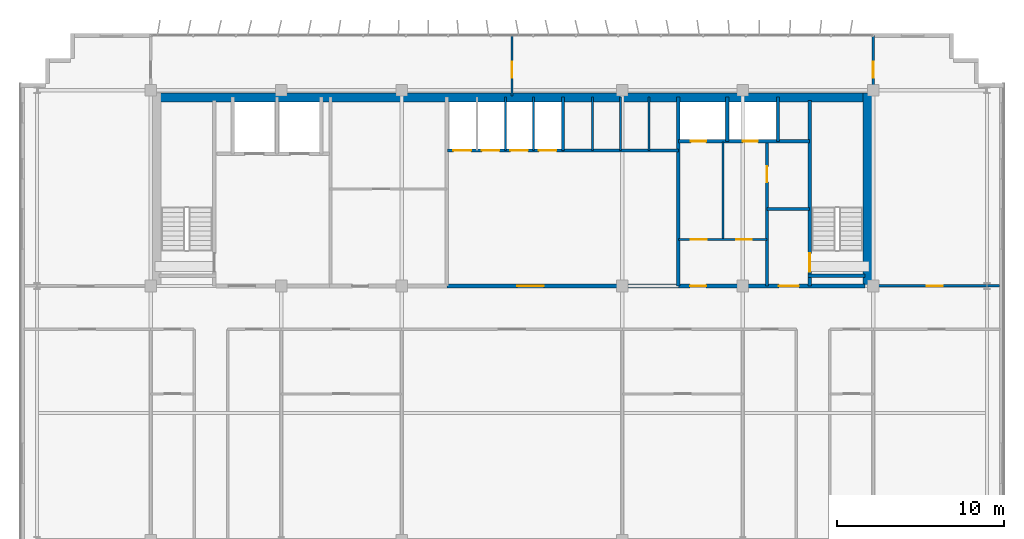
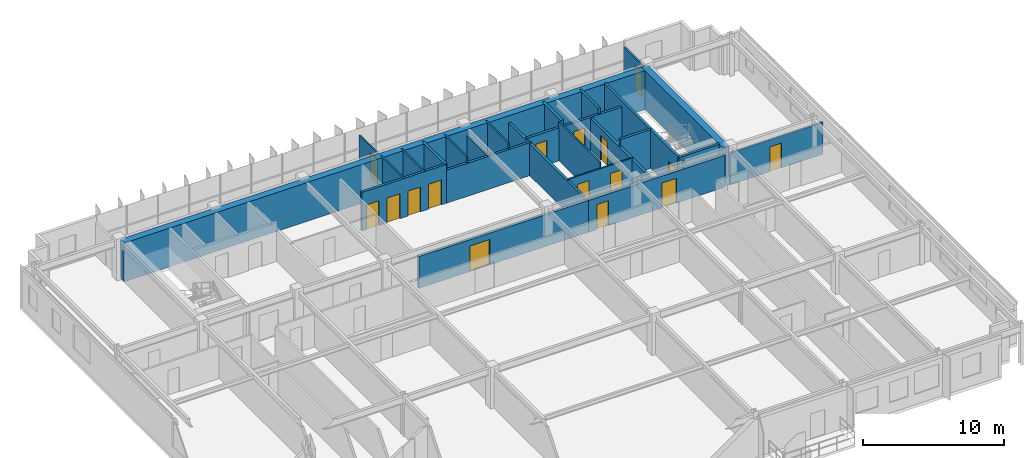
# One storey, part 17 of 20: 25 walls, 16 doors, 16 openings.
"""IFC4 building model written with IfcOpenShell, lengths in metres."""

import ifcopenshell
import ifcopenshell.guid

model = None  # the IFC model being written
_history = None  # IfcOwnerHistory: only IFC2X3 demands one
_inside = {}  # id of a spatial element -> (the spatial element, [elements in it])
_under = {}  # id of a project, library or spatial element -> (it, [spatial elements below it])
_declared = {}  # id of a project -> (the project, [libraries it declares])
_typed = {}  # id of a type object -> (the type object, [elements of that type])
_made_of = {}  # id of a material, layer set ... -> (it, [elements and type objects made of it])


def new_model(schema):
    """Start an empty IFC model of exactly this schema.

    Asked for "IFC4X3", IfcOpenShell would pick the latest addendum, in which some entities
    have other attributes; the version numbers below select the first issue.
    IFC2X3 requires an IfcOwnerHistory on every rooted entity: one is made here for all.
    """
    global model, _history
    if schema == "IFC4X3":
        model = ifcopenshell.file(schema_version=(4, 3, 0, 0))
    else:
        model = ifcopenshell.file(schema=schema)
    _inside.clear()
    _under.clear()
    _declared.clear()
    _typed.clear()
    _made_of.clear()
    _history = None
    if model.schema == "IFC2X3":
        org = make("IfcOrganization", Name="unknown")
        user = make(
            "IfcPersonAndOrganization",
            ThePerson=make("IfcPerson", FamilyName="unknown"),
            TheOrganization=org,
        )
        app = make(
            "IfcApplication",
            ApplicationDeveloper=org,
            Version="unknown",
            ApplicationFullName="unknown",
            ApplicationIdentifier="unknown",
        )
        _history = make(
            "IfcOwnerHistory",
            OwningUser=user,
            OwningApplication=app,
            ChangeAction="ADDED",
            CreationDate=0,
        )
    return model


def make(cls, **values):
    """One entity of the class cls with the attributes given. An attribute that is None is left unset."""
    return model.create_entity(
        cls, **{name: value for name, value in values.items() if value is not None}
    )


def rooted(cls, **values):
    """An entity with a GlobalId (a new one), such as an element, a storey or a relation."""
    return make(cls, GlobalId=ifcopenshell.guid.new(), OwnerHistory=_history, **values)


def si_unit(unit_type, name, prefix=None):
    """IfcSIUnit, for example si_unit("LENGTHUNIT", "METRE", prefix="MILLI")."""
    return make("IfcSIUnit", UnitType=unit_type, Prefix=prefix, Name=name)


def assignment(units):
    """IfcUnitAssignment: the units of a project."""
    return None if units is None else make("IfcUnitAssignment", Units=units)


def point(xyz):
    """IfcCartesianPoint."""
    return None if xyz is None else make("IfcCartesianPoint", Coordinates=xyz)


def direction(xyz):
    """IfcDirection."""
    return None if xyz is None else make("IfcDirection", DirectionRatios=xyz)


def frame(location, z_axis=None, x_axis=None):
    """IfcAxis2Placement3D, a coordinate frame: its origin and axes. An axis left out is left unset."""
    return make(
        "IfcAxis2Placement3D",
        Location=point(location),
        Axis=direction(z_axis),
        RefDirection=direction(x_axis),
    )


def frame_2d(location, x_axis=None):
    """IfcAxis2Placement2D, a coordinate frame in the plane: its origin and x axis."""
    return make(
        "IfcAxis2Placement2D", Location=point(location), RefDirection=direction(x_axis)
    )


def origin():
    """The frame at (0, 0, 0) with its axes left unset."""
    return frame((0.0, 0.0, 0.0))


def place(relative_to, where):
    """IfcLocalPlacement: puts the frame where relative to a parent placement (None: the world)."""
    return make(
        "IfcLocalPlacement", PlacementRelTo=relative_to, RelativePlacement=where
    )


def context(
    kind, dimensions, precision=None, world=None, true_north=None, identifier=None
):
    """IfcGeometricRepresentationContext, for example the 3D "Model" context."""
    return make(
        "IfcGeometricRepresentationContext",
        ContextIdentifier=identifier,
        ContextType=kind,
        CoordinateSpaceDimension=dimensions,
        Precision=precision,
        WorldCoordinateSystem=world,
        TrueNorth=true_north,
    )


def subcontext(parent, identifier, kind, view, scale=None):
    """IfcGeometricRepresentationSubContext, for example "Body" below "Model"."""
    return make(
        "IfcGeometricRepresentationSubContext",
        ContextIdentifier=identifier,
        ContextType=kind,
        ParentContext=parent,
        TargetScale=scale,
        TargetView=view,
    )


def project(units=None, contexts=None):
    """IfcProject with its units and contexts."""
    return rooted(
        "IfcProject",
        Name="project",
        RepresentationContexts=contexts,
        UnitsInContext=assignment(units),
    )


def spatial(cls, under=None, at=None, **own):
    """A site, building, storey or space (cls), placed at a placement, below another one or the project."""
    s = rooted(cls, ObjectPlacement=at, **own)
    if under is not None:
        _under.setdefault(under.id(), (under, []))[1].append(s)
    return s


def profile(cls, at=None, kind="AREA", **sizes):
    """A parametric profile (cls). Its sizes go by their IFC names, for example OverallWidth=200.0."""
    return make(cls, ProfileType=kind, Position=at, **sizes)


def rectangle(**sizes):
    """IfcRectangleProfileDef."""
    return profile("IfcRectangleProfileDef", **sizes)


def extrude(swept, where, along, depth):
    """IfcExtrudedAreaSolid: the profile swept, set in the frame where, extruded along a direction by depth."""
    return make(
        "IfcExtrudedAreaSolid",
        SweptArea=swept,
        Position=where,
        ExtrudedDirection=direction(along),
        Depth=depth,
    )


def shape(context_of_items, identifier, shape_type, items):
    """IfcShapeRepresentation: the items that make up one representation, for example the "Body"."""
    return make(
        "IfcShapeRepresentation",
        ContextOfItems=context_of_items,
        RepresentationIdentifier=identifier,
        RepresentationType=shape_type,
        Items=items,
    )


def source(mapping_origin, context_of_items, identifier, shape_type, items):
    """IfcRepresentationMap: a shape defined once, which mapped items show again and again."""
    return make(
        "IfcRepresentationMap",
        MappingOrigin=mapping_origin,
        MappedRepresentation=shape(context_of_items, identifier, shape_type, items),
    )


def transform(
    local_origin,
    x_axis=None,
    y_axis=None,
    z_axis=None,
    scale=None,
    scale2=None,
    scale3=None,
    uniform=True,
):
    """IfcCartesianTransformationOperator3D, or its non-uniform kind. x_axis, y_axis, z_axis: its Axis1, 2, 3."""
    if uniform:
        return make(
            "IfcCartesianTransformationOperator3D",
            Axis1=direction(x_axis),
            Axis2=direction(y_axis),
            LocalOrigin=point(local_origin),
            Scale=scale,
            Axis3=direction(z_axis),
        )
    return make(
        "IfcCartesianTransformationOperator3DnonUniform",
        Axis1=direction(x_axis),
        Axis2=direction(y_axis),
        LocalOrigin=point(local_origin),
        Scale=scale,
        Axis3=direction(z_axis),
        Scale2=scale2,
        Scale3=scale3,
    )


def mapped(mapping_source, mapping_target):
    """IfcMappedItem: shows the shape of a source again, moved by a transform."""
    return make(
        "IfcMappedItem", MappingSource=mapping_source, MappingTarget=mapping_target
    )


def material(Name=None, Category=None):
    """IfcMaterial."""
    return make("IfcMaterial", Name=Name, Category=Category)


def layer(
    of_material, thickness, ventilated=None, Name=None, Category=None, Priority=None
):
    """IfcMaterialLayer: one layer of a wall or slab, of a material (None: an air gap)."""
    return make(
        "IfcMaterialLayer",
        Material=of_material,
        LayerThickness=thickness,
        IsVentilated=ventilated,
        Name=Name,
        Category=Category,
        Priority=Priority,
    )


def layer_set(layers, Name=None):
    """IfcMaterialLayerSet."""
    return make("IfcMaterialLayerSet", MaterialLayers=layers, LayerSetName=Name)


def made_of(thing, what):
    """Note that an element or type object is made of a material, layer set ...; save() writes the relation."""
    if what is not None:
        _made_of.setdefault(what.id(), (what, []))[1].append(thing)
    return thing


def type_object(cls, material=None, **own):
    """A type object (cls), such as IfcWallType, which elements share."""
    return made_of(rooted(cls, **own), material)


def element(
    cls,
    number,
    at=None,
    inside=None,
    cuts=None,
    type_object=None,
    material=None,
    context=None,
    identifier="Body",
    shape_type=None,
    held_by="IfcProductDefinitionShape",
    body=None,
    shapes=None,
    **own,
):
    """One element of the class cls, such as IfcWall. Its Tag is "e" and its number.

    at: its placement. inside: the storey or other place that contains it. cuts: it is an
    opening in that element (IfcRelVoidsElement). A single representation is given by context,
    identifier, shape_type and body (its items); several are given by shapes. held_by: the class
    of the entity that holds the representations. save() writes the other relations.
    """
    e = rooted(cls, Tag="e%d" % number, ObjectPlacement=at, **own)
    if body is not None:
        shapes = [shape(context, identifier, shape_type, body)]
    if shapes is not None:
        e.Representation = make(held_by, Representations=shapes)
    if inside is not None:
        _inside.setdefault(inside.id(), (inside, []))[1].append(e)
    if cuts is not None:
        rooted(
            "IfcRelVoidsElement", RelatingBuildingElement=cuts, RelatedOpeningElement=e
        )
    if type_object is not None:
        _typed.setdefault(type_object.id(), (type_object, []))[1].append(e)
    return made_of(e, material)


def fill(opening, filler):
    """IfcRelFillsElement: the door or window that sits in an opening."""
    return rooted(
        "IfcRelFillsElement",
        RelatingOpeningElement=opening,
        RelatedBuildingElement=filler,
    )


def aggregate(whole, parts):
    """IfcRelAggregates: a whole, such as a stair, and the parts it consists of."""
    return rooted("IfcRelAggregates", RelatingObject=whole, RelatedObjects=parts)


def save(model, path):
    """Write the relations noted so far, then the file.

    IfcRelAggregates (storeys below a building ...), IfcRelContainedInSpatialStructure (elements
    in a storey), IfcRelDefinesByType, IfcRelAssociatesMaterial and IfcRelDeclares: one each for
    every whole, place, type object, material and project.
    """
    for whole, parts in _under.values():
        aggregate(whole, parts)
    for where, things in _inside.values():
        rooted(
            "IfcRelContainedInSpatialStructure",
            RelatedElements=things,
            RelatingStructure=where,
        )
    for kind, things in _typed.values():
        rooted("IfcRelDefinesByType", RelatedObjects=things, RelatingType=kind)
    for what, things in _made_of.values():
        rooted("IfcRelAssociatesMaterial", RelatedObjects=things, RelatingMaterial=what)
    for by, libraries in _declared.values():
        rooted("IfcRelDeclares", RelatingContext=by, RelatedDefinitions=libraries)
    model.write(path)


model = new_model("IFC4")

# Units and contexts
model_context = context("Model", 3, precision=1e-05, world=origin(), true_north=direction((0.0, 1.0)))
body_context = subcontext(model_context, "Body", "Model", "MODEL_VIEW")
ifc_project = project(units=[si_unit("LENGTHUNIT", "METRE"), si_unit("AREAUNIT", "SQUARE_METRE"), si_unit("VOLUMEUNIT", "CUBIC_METRE"), si_unit("PLANEANGLEUNIT", "RADIAN"), si_unit("MASSUNIT", "GRAM", prefix="KILO")], contexts=[model_context])

# Site, building, storey
site_placement = place(None, origin())
site = spatial("IfcSite", under=ifc_project, at=site_placement, CompositionType="ELEMENT")
building_placement = place(site_placement, origin())
building = spatial("IfcBuilding", under=site, at=building_placement, Name="Trelvane Seafront Commons", CompositionType="ELEMENT")
storey_placement = place(building_placement, frame((0.0, 0.0, 142.89990234375)))
storey = spatial("IfcBuildingStorey", under=building, at=storey_placement, Name="L37", CompositionType="ELEMENT", Elevation=142.89990234375)

# Wall, opening, door
ifc_material_1 = material(Name="Concrete C40/50", Category="concrete")
ifc_layer_1 = layer(ifc_material_1, 0.199951171875, Name="ARCH-WALL-FIRE200")
ifc_layer_set_1 = layer_set([ifc_layer_1], Name="Concrete C40/50")
wall_type_1 = type_object("IfcWallType", Name="ARCH-WALL-FIRE200", PredefinedType="PARTITIONING", material=ifc_layer_set_1)
wall_1_placement = place(storey_placement, frame((52.449951171875, 33.39990234375, 0.0), z_axis=(0.0, 0.0, 1.0), x_axis=(0.0, 1.0, 0.0)))
wall_1 = element("IfcWall", 1, at=wall_1_placement, inside=storey, type_object=wall_type_1, Name="W-L37-ST2V-W-031", PredefinedType="PARTITIONING", context=body_context, shape_type="SweptSolid", body=[
    extrude(rectangle(XDim=8.650146484375, YDim=0.199951171875, at=frame_2d((4.3251953125, 0.0))), origin(), (0.0, 0.0, 1.0), 2.75),
])
opening_1_placement = place(wall_1_placement, frame((6.199951171875, 0.0, 0.0)))
opening_1 = element("IfcOpeningElement", 2, at=opening_1_placement, cuts=wall_1, Name="Opening FD-L37-15", PredefinedType="OPENING", context=body_context, shape_type="SweptSolid", body=[
    extrude(rectangle(XDim=0.949951171875, YDim=2.14990234375, at=frame_2d((0.47509765625, 1.074951171875))), frame((0.0, 0.10986328125, 0.0), z_axis=(0.0, -1.0, 0.0), x_axis=(1.0, 0.0, 0.0)), (0.0, 0.0, 1.0), 0.219970703125),
])
ifc_material_2 = material(Name="Powder-coated aluminium frame", Category="aluminium")
door_type_1 = type_object("IfcDoorType", Name="ARCH-DR-FD60-950", OperationType="NOTDEFINED", PredefinedType="DOOR", material=ifc_material_2)
shared_shape_1 = source(origin(), body_context, "Body", "SweptSolid", [
    extrude(rectangle(XDim=0.949951171875, YDim=2.14990234375, at=frame_2d((0.47509765625, 1.074951171875))), frame((0.0, 0.02490234375, 0.0), z_axis=(0.0, -1.0, 0.0), x_axis=(1.0, 0.0, 0.0)), (0.0, 0.0, 1.0), 0.050048828125),
])
door_1_placement = place(opening_1_placement, origin())
door_1 = element("IfcDoor", 3, at=door_1_placement, inside=storey, type_object=door_type_1, Name="L37 Cleaner Store Door", OperationType="SINGLE_SWING_LEFT", OverallHeight=2.14990234375, OverallWidth=0.949951171875, PredefinedType="DOOR", context=body_context, shape_type="MappedRepresentation", body=[
    mapped(shared_shape_1, transform((0.0, 0.0, 0.0), x_axis=(1.0, 0.0, 0.0), y_axis=(0.0, 1.0, 0.0), z_axis=(0.0, 0.0, 1.0), scale=1.0)),
])
fill(opening_1, door_1)

# Wall
wall_2_placement = place(storey_placement, frame((52.449951171875, 38.0, 0.0), z_axis=(0.0, 0.0, 1.0), x_axis=(1.0, 0.0, 0.0)))
element("IfcWall", 4, at=wall_2_placement, inside=storey, type_object=wall_type_1, Name="W-L37-ST2V-N-032", PredefinedType="PARTITIONING", context=body_context, shape_type="SweptSolid", body=[
    extrude(rectangle(XDim=2.550048828125, YDim=0.199951171875, at=frame_2d((1.27490234375, 0.0))), origin(), (0.0, 0.0, 1.0), 3.35009765625),
])

# Wall, opening, door
ifc_layer_2 = layer(ifc_material_1, 0.25, Name="ARCH-WALL-FIRE250")
ifc_layer_set_2 = layer_set([ifc_layer_2], Name="Concrete C40/50")
wall_type_2 = type_object("IfcWallType", Name="ARCH-WALL-FIRE250", PredefinedType="PARTITIONING", material=ifc_layer_set_2)
wall_3_placement = place(storey_placement, frame((33.300048828125, 33.39990234375, 0.0), z_axis=(0.0, 0.0, 1.0), x_axis=(1.0, 0.0, 0.0)))
wall_3 = element("IfcWall", 5, at=wall_3_placement, inside=storey, type_object=wall_type_2, Name="W-L37-CS-PAX-027", PredefinedType="PARTITIONING", context=body_context, shape_type="SweptSolid", body=[
    extrude(rectangle(XDim=13.849853515625, YDim=0.25, at=frame_2d((6.9248046875, 0.0))), origin(), (0.0, 0.0, 1.0), 2.75),
])
opening_2_placement = place(wall_3_placement, frame((4.199951171875, 0.0, 0.0)))
opening_2 = element("IfcOpeningElement", 6, at=opening_2_placement, cuts=wall_3, Name="Opening FD-L37-12", PredefinedType="OPENING", context=body_context, shape_type="SweptSolid", body=[
    extrude(rectangle(XDim=1.60009765625, YDim=2.199951171875, at=frame_2d((0.800048828125, 1.10009765625))), frame((0.0, 0.135009765625, 0.0), z_axis=(0.0, -1.0, 0.0), x_axis=(1.0, 0.0, 0.0)), (0.0, 0.0, 1.0), 0.27001953125),
])
door_type_2 = type_object("IfcDoorType", Name="ARCH-DR-FD60-1600", OperationType="DOUBLE_DOOR_SINGLE_SWING", PredefinedType="DOOR", material=ifc_material_2)
shared_shape_2 = source(origin(), body_context, "Body", "SweptSolid", [
    extrude(rectangle(XDim=1.60009765625, YDim=2.199951171875, at=frame_2d((0.800048828125, 1.10009765625))), frame((0.0, 0.02490234375, 0.0), z_axis=(0.0, -1.0, 0.0), x_axis=(1.0, 0.0, 0.0)), (0.0, 0.0, 1.0), 0.050048828125),
])
door_2_placement = place(opening_2_placement, origin())
door_2 = element("IfcDoor", 7, at=door_2_placement, inside=storey, type_object=door_type_2, Name="L37 Passenger Lift Lobby Double Door", OperationType="DOUBLE_DOOR_SINGLE_SWING", OverallHeight=2.199951171875, OverallWidth=1.60009765625, PredefinedType="DOOR", context=body_context, shape_type="MappedRepresentation", body=[
    mapped(shared_shape_2, transform((0.0, 0.0, 0.0), x_axis=(1.0, 0.0, 0.0), y_axis=(0.0, 1.0, 0.0), z_axis=(0.0, 0.0, 1.0), scale=1.0)),
])
fill(opening_2, door_2)

# Wall, openings, doors
wall_4_placement = place(storey_placement, frame((47.14990234375, 33.39990234375, 0.0), z_axis=(0.0, 0.0, 1.0), x_axis=(1.0, 0.0, 0.0)))
wall_4 = element("IfcWall", 8, at=wall_4_placement, inside=storey, type_object=wall_type_2, Name="W-L37-CS-EAST-035", PredefinedType="PARTITIONING", context=body_context, shape_type="SweptSolid", body=[
    extrude(rectangle(XDim=11.150146484375, YDim=0.25, at=frame_2d((5.5751953125, 0.0))), origin(), (0.0, 0.0, 1.0), 2.75),
])
opening_3_placement = place(wall_4_placement, frame((0.699951171875, 0.0, 0.0)))
opening_3 = element("IfcOpeningElement", 9, at=opening_3_placement, cuts=wall_4, Name="Opening FD-L37-18", PredefinedType="OPENING", context=body_context, shape_type="SweptSolid", body=[
    extrude(rectangle(XDim=0.949951171875, YDim=2.14990234375, at=frame_2d((0.47509765625, 1.074951171875))), frame((0.0, 0.135009765625, 0.0), z_axis=(0.0, -1.0, 0.0), x_axis=(1.0, 0.0, 0.0)), (0.0, 0.0, 1.0), 0.27001953125),
])
opening_4_placement = place(wall_4_placement, frame((6.0, 0.0, 0.0)))
opening_4 = element("IfcOpeningElement", 10, at=opening_4_placement, cuts=wall_4, Name="Opening FD-L37-19", PredefinedType="OPENING", context=body_context, shape_type="SweptSolid", body=[
    extrude(rectangle(XDim=1.199951171875, YDim=2.14990234375, at=frame_2d((0.60009765625, 1.074951171875))), frame((0.0, 0.135009765625, 0.0), z_axis=(0.0, -1.0, 0.0), x_axis=(1.0, 0.0, 0.0)), (0.0, 0.0, 1.0), 0.27001953125),
])
door_3_placement = place(opening_3_placement, origin())
door_3 = element("IfcDoor", 11, at=door_3_placement, inside=storey, type_object=door_type_1, Name="L37 Core Service Lobby Door", OperationType="SINGLE_SWING_RIGHT", OverallHeight=2.14990234375, OverallWidth=0.949951171875, PredefinedType="DOOR", context=body_context, shape_type="MappedRepresentation", body=[
    mapped(shared_shape_1, transform((0.0, 0.0, 0.0), x_axis=(1.0, 0.0, 0.0), y_axis=(0.0, 1.0, 0.0), z_axis=(0.0, 0.0, 1.0), scale=1.0)),
])
fill(opening_3, door_3)
door_type_3 = type_object("IfcDoorType", Name="ARCH-DR-FD60-1200", OperationType="NOTDEFINED", PredefinedType="DOOR", material=ifc_material_2)
shared_shape_3 = source(origin(), body_context, "Body", "SweptSolid", [
    extrude(rectangle(XDim=1.199951171875, YDim=2.14990234375, at=frame_2d((0.60009765625, 1.074951171875))), frame((0.0, 0.02490234375, 0.0), z_axis=(0.0, -1.0, 0.0), x_axis=(1.0, 0.0, 0.0)), (0.0, 0.0, 1.0), 0.050048828125),
])
door_4_placement = place(opening_4_placement, origin())
door_4 = element("IfcDoor", 12, at=door_4_placement, inside=storey, type_object=door_type_3, Name="L37 East Stair Vestibule Fire Door", OperationType="SINGLE_SWING_LEFT", OverallHeight=2.14990234375, OverallWidth=1.199951171875, PredefinedType="DOOR", context=body_context, shape_type="MappedRepresentation", body=[
    mapped(shared_shape_3, transform((0.0, 0.0, 0.0), x_axis=(1.0, 0.0, 0.0), y_axis=(0.0, 1.0, 0.0), z_axis=(0.0, 0.0, 1.0), scale=1.0)),
])
fill(opening_4, door_4)

# Walls
ifc_material_3 = material(Name="Gypsum Drywall Acoustic Partition")
ifc_layer_3 = layer(ifc_material_3, 0.1201171875, Name="ARCH-WALL-PART120")
ifc_layer_set_3 = layer_set([ifc_layer_3], Name="Gypsum Drywall Acoustic Partition")
wall_type_3 = type_object("IfcWallType", Name="ARCH-WALL-PART120", PredefinedType="PARTITIONING", material=ifc_layer_set_3)
for number, where, z_axis, x_axis, name in (
    (13, (36.800048828125, 41.5, 0.0), (0.0, 0.0, 1.0), (0.0, 1.0, 0.0), "W-L37-PM-DIV2-018"),
    (14, (38.5, 41.5, 0.0), (0.0, 0.0, 1.0), (0.0, 1.0, 0.0), "W-L37-PM-DIV3-019"),
    (15, (42.0, 41.5, 0.0), (0.0, 0.0, 1.0), (0.0, 1.0, 0.0), "W-L37-PH-DIV1-022"),
):
    element("IfcWall", number, at=place(storey_placement, frame(where, z_axis=z_axis, x_axis=x_axis)), inside=storey, type_object=wall_type_3, Name=name, PredefinedType="PARTITIONING", context=body_context, shape_type="SweptSolid", body=[
        extrude(rectangle(XDim=3.199951171875, YDim=0.1201171875, at=frame_2d((1.60009765625, 0.0))), origin(), (0.0, 0.0, 1.0), 3.35009765625),
    ])
wall_5_placement = place(storey_placement, frame((43.699951171875, 41.5, 0.0), z_axis=(0.0, 0.0, 1.0), x_axis=(0.0, 1.0, 0.0)))
element("IfcWall", 16, at=wall_5_placement, inside=storey, type_object=wall_type_3, Name="W-L37-PH-DIV2-023", PredefinedType="PARTITIONING", context=body_context, shape_type="SweptSolid", body=[
    extrude(rectangle(XDim=3.199951171875, YDim=0.1201171875, at=frame_2d((1.60009765625, 0.0))), origin(), (0.0, 0.0, 1.0), 2.85009765625),
])
wall_6_placement = place(storey_placement, frame((45.39990234375, 41.5, 0.0), z_axis=(0.0, 0.0, 1.0), x_axis=(0.0, 1.0, 0.0)))
element("IfcWall", 17, at=wall_6_placement, inside=storey, type_object=wall_type_3, Name="W-L37-PH-DIV3-024", PredefinedType="PARTITIONING", context=body_context, shape_type="SweptSolid", body=[
    extrude(rectangle(XDim=3.199951171875, YDim=0.1201171875, at=frame_2d((1.60009765625, 0.0))), origin(), (0.0, 0.0, 1.0), 3.35009765625),
])

# Wall, openings, doors
wall_7_placement = place(storey_placement, frame((47.14990234375, 36.179931640625, 0.0), z_axis=(0.0, 0.0, 1.0), x_axis=(1.0, 0.0, 0.0)))
wall_7 = element("IfcWall", 18, at=wall_7_placement, inside=storey, type_object=wall_type_3, Name="W-L37-CYC1-H-033", PredefinedType="PARTITIONING", context=body_context, shape_type="SweptSolid", body=[
    extrude(rectangle(XDim=5.300048828125, YDim=0.1201171875, at=frame_2d((2.64990234375, 0.0))), origin(), (0.0, 0.0, 1.0), 2.85009765625),
])
opening_5_placement = place(wall_7_placement, frame((0.75, 0.0, 0.0)))
opening_5 = element("IfcOpeningElement", 19, at=opening_5_placement, cuts=wall_7, Name="Opening D-L37-16", PredefinedType="OPENING", context=body_context, shape_type="SweptSolid", body=[
    extrude(rectangle(XDim=0.949951171875, YDim=2.14990234375, at=frame_2d((0.47509765625, 1.074951171875))), frame((0.0, 0.070068359375, 0.0), z_axis=(0.0, -1.0, 0.0), x_axis=(1.0, 0.0, 0.0)), (0.0, 0.0, 1.0), 0.14013671875),
])
opening_6_placement = place(wall_7_placement, frame((3.449951171875, 0.0, 0.0)))
opening_6 = element("IfcOpeningElement", 20, at=opening_6_placement, cuts=wall_7, Name="Opening D-L37-17", PredefinedType="OPENING", context=body_context, shape_type="SweptSolid", body=[
    extrude(rectangle(XDim=0.949951171875, YDim=2.14990234375, at=frame_2d((0.47509765625, 1.074951171875))), frame((0.0, 0.070068359375, 0.0), z_axis=(0.0, -1.0, 0.0), x_axis=(1.0, 0.0, 0.0)), (0.0, 0.0, 1.0), 0.14013671875),
])
ifc_material_4 = material(Name="Acoustic timber door leaf", Category="wood")
door_type_4 = type_object("IfcDoorType", Name="ARCH-DR-INT950", OperationType="NOTDEFINED", PredefinedType="DOOR", material=ifc_material_4)
door_5_placement = place(opening_5_placement, origin())
door_5 = element("IfcDoor", 21, at=door_5_placement, inside=storey, type_object=door_type_4, Name="L37 Accessible WC Door", OperationType="SINGLE_SWING_RIGHT", OverallHeight=2.14990234375, OverallWidth=0.949951171875, PredefinedType="DOOR", context=body_context, shape_type="MappedRepresentation", body=[
    mapped(shared_shape_1, transform((0.0, 0.0, 0.0), x_axis=(1.0, 0.0, 0.0), y_axis=(0.0, 1.0, 0.0), z_axis=(0.0, 0.0, 1.0), scale=1.0)),
])
fill(opening_5, door_5)
door_6_placement = place(opening_6_placement, origin())
door_6 = element("IfcDoor", 22, at=door_6_placement, inside=storey, type_object=door_type_4, Name="L37 BMS Room Door", OperationType="SINGLE_SWING_LEFT", OverallHeight=2.14990234375, OverallWidth=0.949951171875, PredefinedType="DOOR", context=body_context, shape_type="MappedRepresentation", body=[
    mapped(shared_shape_1, transform((0.0, 0.0, 0.0), x_axis=(1.0, 0.0, 0.0), y_axis=(0.0, 1.0, 0.0), z_axis=(0.0, 0.0, 1.0), scale=1.0)),
])
fill(opening_6, door_6)

# Wall
wall_8_placement = place(storey_placement, frame((49.820068359375, 36.179931640625, 0.0), z_axis=(0.0, 0.0, 1.0), x_axis=(0.0, 1.0, 0.0)))
element("IfcWall", 23, at=wall_8_placement, inside=storey, type_object=wall_type_3, Name="W-L37-CYC1-V-034", PredefinedType="PARTITIONING", context=body_context, shape_type="SweptSolid", body=[
    extrude(rectangle(XDim=5.820068359375, YDim=0.1201171875, at=frame_2d((2.91015625, 0.0))), origin(), (0.0, 0.0, 1.0), 3.35009765625),
])

# Wall, opening, door
wall_9_placement = place(storey_placement, frame((37.199951171875, 44.75, 0.0), z_axis=(0.0, 0.0, 1.0), x_axis=(0.0, 1.0, 0.0)))
wall_9 = element("IfcWall", 24, at=wall_9_placement, inside=storey, type_object=wall_type_3, Name="W-L37-N-MID-DV-038", PredefinedType="PARTITIONING", context=body_context, shape_type="SweptSolid", body=[
    extrude(rectangle(XDim=3.610107421875, YDim=0.1201171875, at=frame_2d((1.80517578125, 0.0))), origin(), (0.0, 0.0, 1.0), 2.75),
])
opening_7_placement = place(wall_9_placement, frame((1.10009765625, 0.0, 0.0)))
opening_7 = element("IfcOpeningElement", 25, at=opening_7_placement, cuts=wall_9, Name="Opening D-L37-22", PredefinedType="OPENING", context=body_context, shape_type="SweptSolid", body=[
    extrude(rectangle(XDim=0.949951171875, YDim=2.14990234375, at=frame_2d((0.47509765625, 1.074951171875))), frame((0.0, 0.070068359375, 0.0), z_axis=(0.0, -1.0, 0.0), x_axis=(1.0, 0.0, 0.0)), (0.0, 0.0, 1.0), 0.14013671875),
])
door_7_placement = place(opening_7_placement, origin())
door_7 = element("IfcDoor", 26, at=door_7_placement, inside=storey, type_object=door_type_4, Name="L37 Door 22", OperationType="SINGLE_SWING_RIGHT", OverallHeight=2.14990234375, OverallWidth=0.949951171875, PredefinedType="DOOR", context=body_context, shape_type="MappedRepresentation", body=[
    mapped(shared_shape_1, transform((0.0, 0.0, 0.0), x_axis=(1.0, 0.0, 0.0), y_axis=(0.0, 1.0, 0.0), z_axis=(0.0, 0.0, 1.0), scale=1.0)),
])
fill(opening_7, door_7)

ifc_layer_4 = layer(ifc_material_3, 0.14990234375, Name="ARCH-WALL-PART150")
ifc_layer_set_4 = layer_set([ifc_layer_4], Name="Gypsum Drywall Acoustic Partition")
wall_type_4 = type_object("IfcWallType", Name="ARCH-WALL-PART150", PredefinedType="PARTITIONING", material=ifc_layer_set_4)
wall_10_placement = place(storey_placement, frame((58.800048828125, 33.39990234375, 0.0), z_axis=(0.0, 0.0, 1.0), x_axis=(1.0, 0.0, 0.0)))
wall_10 = element("IfcWall", 27, at=wall_10_placement, inside=storey, type_object=wall_type_4, Name="W-L37-NE-ENT-037", PredefinedType="PARTITIONING", context=body_context, shape_type="SweptSolid", body=[
    extrude(rectangle(XDim=7.550048828125, YDim=0.14990234375, at=frame_2d((3.77490234375, 0.0))), origin(), (0.0, 0.0, 1.0), 2.75),
])
opening_8_placement = place(wall_10_placement, frame((3.199951171875, 0.0, 0.0)))
opening_8 = element("IfcOpeningElement", 28, at=opening_8_placement, cuts=wall_10, Name="Opening FD-L37-21", PredefinedType="OPENING", context=body_context, shape_type="SweptSolid", body=[
    extrude(rectangle(XDim=0.949951171875, YDim=2.14990234375, at=frame_2d((0.47509765625, 1.074951171875))), frame((0.0, 0.0849609375, 0.0), z_axis=(0.0, -1.0, 0.0), x_axis=(1.0, 0.0, 0.0)), (0.0, 0.0, 1.0), 0.169921875),
])
door_8_placement = place(opening_8_placement, origin())
door_8 = element("IfcDoor", 29, at=door_8_placement, inside=storey, type_object=door_type_1, Name="L37 NE Suite Entrance Door", OperationType="SINGLE_SWING_LEFT", OverallHeight=2.14990234375, OverallWidth=0.949951171875, PredefinedType="DOOR", context=body_context, shape_type="MappedRepresentation", body=[
    mapped(shared_shape_1, transform((0.0, 0.0, 0.0), x_axis=(1.0, 0.0, 0.0), y_axis=(0.0, 1.0, 0.0), z_axis=(0.0, 0.0, 1.0), scale=1.0)),
])
fill(opening_8, door_8)

wall_11_placement = place(storey_placement, frame((58.800048828125, 44.75, 0.0), z_axis=(0.0, 0.0, 1.0), x_axis=(0.0, 1.0, 0.0)))
wall_11 = element("IfcWall", 30, at=wall_11_placement, inside=storey, type_object=wall_type_4, Name="W-L37-N-LINK-E-040", PredefinedType="PARTITIONING", context=body_context, shape_type="SweptSolid", body=[
    extrude(rectangle(XDim=3.610107421875, YDim=0.14990234375, at=frame_2d((1.80517578125, 0.0))), origin(), (0.0, 0.0, 1.0), 2.85009765625),
])
opening_9_placement = place(wall_11_placement, frame((1.10009765625, 0.0, 0.0)))
opening_9 = element("IfcOpeningElement", 31, at=opening_9_placement, cuts=wall_11, Name="Opening FD-L37-24", PredefinedType="OPENING", context=body_context, shape_type="SweptSolid", body=[
    extrude(rectangle(XDim=0.949951171875, YDim=2.14990234375, at=frame_2d((0.47509765625, 1.074951171875))), frame((0.0, 0.0849609375, 0.0), z_axis=(0.0, -1.0, 0.0), x_axis=(1.0, 0.0, 0.0)), (0.0, 0.0, 1.0), 0.169921875),
])
door_9_placement = place(opening_9_placement, origin())
door_9 = element("IfcDoor", 32, at=door_9_placement, inside=storey, type_object=door_type_1, Name="L37 Door 24", OperationType="SINGLE_SWING_RIGHT", OverallHeight=2.14990234375, OverallWidth=0.949951171875, PredefinedType="DOOR", context=body_context, shape_type="MappedRepresentation", body=[
    mapped(shared_shape_1, transform((0.0, 0.0, 0.0), x_axis=(1.0, 0.0, 0.0), y_axis=(0.0, 1.0, 0.0), z_axis=(0.0, 0.0, 1.0), scale=1.0)),
])
fill(opening_9, door_9)

# Wall, openings, doors
ifc_layer_5 = layer(ifc_material_1, 0.199951171875, Name="ARCH-WALL-SHAFT200")
ifc_layer_set_5 = layer_set([ifc_layer_5], Name="Concrete C40/50")
wall_type_5 = type_object("IfcWallType", Name="ARCH-WALL-SHAFT200", PredefinedType="SOLIDWALL", material=ifc_layer_set_5)
wall_12_placement = place(storey_placement, frame((33.35009765625, 41.5, 0.0), z_axis=(0.0, 0.0, 1.0), x_axis=(1.0, 0.0, 0.0)))
wall_12 = element("IfcWall", 33, at=wall_12_placement, inside=storey, type_object=wall_type_5, Name="W-L37-PM-FRONT-016", PredefinedType="SOLIDWALL", context=body_context, shape_type="SweptSolid", body=[
    extrude(rectangle(XDim=6.89990234375, YDim=0.199951171875, at=frame_2d((3.449951171875, 0.0))), origin(), (0.0, 0.0, 1.0), 3.35009765625),
])
opening_10_placement = place(wall_12_placement, frame((0.35009765625, 0.0, 0.0)))
opening_10 = element("IfcOpeningElement", 34, at=opening_10_placement, cuts=wall_12, Name="Opening LD-PM1-L37", PredefinedType="OPENING", context=body_context, shape_type="SweptSolid", body=[
    extrude(rectangle(XDim=1.050048828125, YDim=2.14990234375, at=frame_2d((0.52490234375, 1.074951171875))), frame((0.0, 0.10986328125, 0.0), z_axis=(0.0, -1.0, 0.0), x_axis=(1.0, 0.0, 0.0)), (0.0, 0.0, 1.0), 0.219970703125),
])
opening_11_placement = place(wall_12_placement, frame((2.050048828125, 0.0, 0.0)))
opening_11 = element("IfcOpeningElement", 35, at=opening_11_placement, cuts=wall_12, Name="Opening LD-PM2-L37", PredefinedType="OPENING", context=body_context, shape_type="SweptSolid", body=[
    extrude(rectangle(XDim=1.050048828125, YDim=2.14990234375, at=frame_2d((0.52490234375, 1.074951171875))), frame((0.0, 0.10986328125, 0.0), z_axis=(0.0, -1.0, 0.0), x_axis=(1.0, 0.0, 0.0)), (0.0, 0.0, 1.0), 0.219970703125),
])
opening_12_placement = place(wall_12_placement, frame((3.75, 0.0, 0.0)))
opening_12 = element("IfcOpeningElement", 36, at=opening_12_placement, cuts=wall_12, Name="Opening LD-PM3-L37", PredefinedType="OPENING", context=body_context, shape_type="SweptSolid", body=[
    extrude(rectangle(XDim=1.050048828125, YDim=2.14990234375, at=frame_2d((0.52490234375, 1.074951171875))), frame((0.0, 0.10986328125, 0.0), z_axis=(0.0, -1.0, 0.0), x_axis=(1.0, 0.0, 0.0)), (0.0, 0.0, 1.0), 0.219970703125),
])
opening_13_placement = place(wall_12_placement, frame((5.449951171875, 0.0, 0.0)))
opening_13 = element("IfcOpeningElement", 37, at=opening_13_placement, cuts=wall_12, Name="Opening LD-PM4-L37", PredefinedType="OPENING", context=body_context, shape_type="SweptSolid", body=[
    extrude(rectangle(XDim=1.050048828125, YDim=2.14990234375, at=frame_2d((0.52490234375, 1.074951171875))), frame((0.0, 0.10986328125, 0.0), z_axis=(0.0, -1.0, 0.0), x_axis=(1.0, 0.0, 0.0)), (0.0, 0.0, 1.0), 0.219970703125),
])
ifc_material_5 = material(Name="Stainless steel balustrade", Category="steel")
door_type_5 = type_object("IfcDoorType", Name="ARCH-DR-LD1050", OperationType="DOUBLE_DOOR_SLIDING", PredefinedType="DOOR", material=ifc_material_5)
shared_shape_4 = source(origin(), body_context, "Body", "SweptSolid", [
    extrude(rectangle(XDim=1.050048828125, YDim=2.14990234375, at=frame_2d((0.52490234375, 1.074951171875))), frame((0.0, 0.02490234375, 0.0), z_axis=(0.0, -1.0, 0.0), x_axis=(1.0, 0.0, 0.0)), (0.0, 0.0, 1.0), 0.050048828125),
])
door_10_placement = place(opening_10_placement, origin())
door_10 = element("IfcDoor", 38, at=door_10_placement, inside=storey, type_object=door_type_5, Name="L37 Passenger Lift PM-1 Landing Door", OperationType="DOUBLE_DOOR_SLIDING", OverallHeight=2.14990234375, OverallWidth=1.050048828125, PredefinedType="DOOR", context=body_context, shape_type="MappedRepresentation", body=[
    mapped(shared_shape_4, transform((0.0, 0.0, 0.0), x_axis=(1.0, 0.0, 0.0), y_axis=(0.0, 1.0, 0.0), z_axis=(0.0, 0.0, 1.0), scale=1.0)),
])
fill(opening_10, door_10)
door_11_placement = place(opening_11_placement, origin())
door_11 = element("IfcDoor", 39, at=door_11_placement, inside=storey, type_object=door_type_5, Name="L37 Passenger Lift PM-2 Landing Door", OperationType="DOUBLE_DOOR_SLIDING", OverallHeight=2.14990234375, OverallWidth=1.050048828125, PredefinedType="DOOR", context=body_context, shape_type="MappedRepresentation", body=[
    mapped(shared_shape_4, transform((0.0, 0.0, 0.0), x_axis=(1.0, 0.0, 0.0), y_axis=(0.0, 1.0, 0.0), z_axis=(0.0, 0.0, 1.0), scale=1.0)),
])
fill(opening_11, door_11)
door_12_placement = place(opening_12_placement, origin())
door_12 = element("IfcDoor", 40, at=door_12_placement, inside=storey, type_object=door_type_5, Name="L37 Passenger Lift PM-3 Landing Door", OperationType="DOUBLE_DOOR_SLIDING", OverallHeight=2.14990234375, OverallWidth=1.050048828125, PredefinedType="DOOR", context=body_context, shape_type="MappedRepresentation", body=[
    mapped(shared_shape_4, transform((0.0, 0.0, 0.0), x_axis=(1.0, 0.0, 0.0), y_axis=(0.0, 1.0, 0.0), z_axis=(0.0, 0.0, 1.0), scale=1.0)),
])
fill(opening_12, door_12)
door_13_placement = place(opening_13_placement, origin())
door_13 = element("IfcDoor", 41, at=door_13_placement, inside=storey, type_object=door_type_5, Name="L37 Passenger Lift PM-4 Landing Door", OperationType="DOUBLE_DOOR_SLIDING", OverallHeight=2.14990234375, OverallWidth=1.050048828125, PredefinedType="DOOR", context=body_context, shape_type="MappedRepresentation", body=[
    mapped(shared_shape_4, transform((0.0, 0.0, 0.0), x_axis=(1.0, 0.0, 0.0), y_axis=(0.0, 1.0, 0.0), z_axis=(0.0, 0.0, 1.0), scale=1.0)),
])
fill(opening_13, door_13)

# Walls
wall_13_placement = place(storey_placement, frame((40.25, 41.5, 0.0), z_axis=(0.0, 0.0, 1.0), x_axis=(1.0, 0.0, 0.0)))
element("IfcWall", 42, at=wall_13_placement, inside=storey, type_object=wall_type_5, Name="W-L37-PH-FRONT-020", PredefinedType="SOLIDWALL", context=body_context, shape_type="SweptSolid", body=[
    extrude(rectangle(XDim=6.89990234375, YDim=0.199951171875, at=frame_2d((3.449951171875, 0.0))), origin(), (0.0, 0.0, 1.0), 2.85009765625),
])
wall_14_placement = place(storey_placement, frame((40.25, 41.5, 0.0), z_axis=(0.0, 0.0, 1.0), x_axis=(0.0, 1.0, 0.0)))
element("IfcWall", 43, at=wall_14_placement, inside=storey, type_object=wall_type_5, Name="W-L37-PH-WEST-SH-021", PredefinedType="SOLIDWALL", context=body_context, shape_type="SweptSolid", body=[
    extrude(rectangle(XDim=3.199951171875, YDim=0.199951171875, at=frame_2d((1.60009765625, 0.0))), origin(), (0.0, 0.0, 1.0), 3.35009765625),
])
wall_15_placement = place(storey_placement, frame((47.14990234375, 33.39990234375, 0.0), z_axis=(0.0, 0.0, 1.0), x_axis=(0.0, 1.0, 0.0)))
element("IfcWall", 44, at=wall_15_placement, inside=storey, type_object=wall_type_5, Name="W-L37-PH-EAST-025", PredefinedType="SOLIDWALL", context=body_context, shape_type="SweptSolid", body=[
    extrude(rectangle(XDim=11.300048828125, YDim=0.199951171875, at=frame_2d((5.64990234375, 0.0))), origin(), (0.0, 0.0, 1.0), 2.75),
])

# Wall, openings, doors
wall_16_placement = place(storey_placement, frame((47.14990234375, 42.050048828125, 0.0), z_axis=(0.0, 0.0, 1.0), x_axis=(1.0, 0.0, 0.0)))
wall_16 = element("IfcWall", 45, at=wall_16_placement, inside=storey, type_object=wall_type_5, Name="W-L37-RSR-S-028", PredefinedType="SOLIDWALL", context=body_context, shape_type="SweptSolid", body=[
    extrude(rectangle(XDim=7.85009765625, YDim=0.199951171875, at=frame_2d((3.925048828125, 0.0))), origin(), (0.0, 0.0, 1.0), 2.85009765625),
])
opening_14_placement = place(wall_16_placement, frame((0.75, 0.0, 0.0)))
opening_14 = element("IfcOpeningElement", 46, at=opening_14_placement, cuts=wall_16, Name="Opening FD-L37-13", PredefinedType="OPENING", context=body_context, shape_type="SweptSolid", body=[
    extrude(rectangle(XDim=0.89990234375, YDim=2.10009765625, at=frame_2d((0.449951171875, 1.050048828125))), frame((0.0, 0.10986328125, 0.0), z_axis=(0.0, -1.0, 0.0), x_axis=(1.0, 0.0, 0.0)), (0.0, 0.0, 1.0), 0.219970703125),
])
opening_15_placement = place(wall_16_placement, frame((3.85009765625, 0.0, 0.0)))
opening_15 = element("IfcOpeningElement", 47, at=opening_15_placement, cuts=wall_16, Name="Opening FD-L37-14", PredefinedType="OPENING", context=body_context, shape_type="SweptSolid", body=[
    extrude(rectangle(XDim=0.89990234375, YDim=2.10009765625, at=frame_2d((0.449951171875, 1.050048828125))), frame((0.0, 0.10986328125, 0.0), z_axis=(0.0, -1.0, 0.0), x_axis=(1.0, 0.0, 0.0)), (0.0, 0.0, 1.0), 0.219970703125),
])
door_type_6 = type_object("IfcDoorType", Name="ARCH-DR-FD60-900", OperationType="NOTDEFINED", PredefinedType="DOOR", material=ifc_material_2)
shared_shape_5 = source(origin(), body_context, "Body", "SweptSolid", [
    extrude(rectangle(XDim=0.89990234375, YDim=2.10009765625, at=frame_2d((0.449951171875, 1.050048828125))), frame((0.0, 0.02490234375, 0.0), z_axis=(0.0, -1.0, 0.0), x_axis=(1.0, 0.0, 0.0)), (0.0, 0.0, 1.0), 0.050048828125),
])
door_14_placement = place(opening_14_placement, origin())
door_14 = element("IfcDoor", 48, at=door_14_placement, inside=storey, type_object=door_type_6, Name="L37 Electrical Riser Access Door", OperationType="SINGLE_SWING_LEFT", OverallHeight=2.10009765625, OverallWidth=0.89990234375, PredefinedType="DOOR", context=body_context, shape_type="MappedRepresentation", body=[
    mapped(shared_shape_5, transform((0.0, 0.0, 0.0), x_axis=(1.0, 0.0, 0.0), y_axis=(0.0, 1.0, 0.0), z_axis=(0.0, 0.0, 1.0), scale=1.0)),
])
fill(opening_14, door_14)
door_15_placement = place(opening_15_placement, origin())
door_15 = element("IfcDoor", 49, at=door_15_placement, inside=storey, type_object=door_type_6, Name="L37 Mechanical Riser Access Door", OperationType="SINGLE_SWING_RIGHT", OverallHeight=2.10009765625, OverallWidth=0.89990234375, PredefinedType="DOOR", context=body_context, shape_type="MappedRepresentation", body=[
    mapped(shared_shape_5, transform((0.0, 0.0, 0.0), x_axis=(1.0, 0.0, 0.0), y_axis=(0.0, 1.0, 0.0), z_axis=(0.0, 0.0, 1.0), scale=1.0)),
])
fill(opening_15, door_15)

# Walls
for number, where, z_axis, x_axis, name in (
    (50, (50.080078125, 42.050048828125, 0.0), (0.0, 0.0, 1.0), (0.0, 1.0, 0.0), "W-L37-RSR-DIV-029"),
    (51, (53.10009765625, 42.050048828125, 0.0), (0.0, 0.0, 1.0), (0.0, 1.0, 0.0), "W-L37-RSR-E-030"),
):
    element("IfcWall", number, at=place(storey_placement, frame(where, z_axis=z_axis, x_axis=x_axis)), inside=storey, type_object=wall_type_5, Name=name, PredefinedType="SOLIDWALL", context=body_context, shape_type="SweptSolid", body=[
        extrude(rectangle(XDim=2.64990234375, YDim=0.199951171875, at=frame_2d((1.324951171875, 0.0))), origin(), (0.0, 0.0, 1.0), 3.35009765625),
    ])
ifc_material_6 = material(Name="Concrete C50/60", Category="concrete")
ifc_layer_6 = layer(ifc_material_6, 0.550048828125, Name="STR-WALL-CORE550")
ifc_layer_set_6 = layer_set([ifc_layer_6], Name="Concrete C50/60")
wall_type_6 = type_object("IfcWallType", Name="STR-WALL-CORE550", PredefinedType="SHEAR", material=ifc_layer_set_6)
wall_17_placement = place(storey_placement, frame((15.64990234375, 44.675048828125, 0.0), z_axis=(0.0, 0.0, 1.0), x_axis=(1.0, 0.0, 0.0)))
element("IfcWall", 52, at=wall_17_placement, inside=storey, type_object=wall_type_6, Name="W-L37-CN-ALL-001", PredefinedType="SHEAR", context=body_context, shape_type="SweptSolid", body=[
    extrude(rectangle(XDim=43.10009765625, YDim=0.550048828125, at=frame_2d((21.550048828125, 0.0))), origin(), (0.0, 0.0, 1.0), 3.35009765625),
])
wall_18_placement = place(storey_placement, frame((58.47509765625, 33.39990234375, 0.0), z_axis=(0.0, 0.0, 1.0), x_axis=(0.0, 1.0, 0.0)))
element("IfcWall", 53, at=wall_18_placement, inside=storey, type_object=wall_type_6, Name="W-L37-CE-END-003", PredefinedType="SHEAR", context=body_context, shape_type="SweptSolid", body=[
    extrude(rectangle(XDim=11.550048828125, YDim=0.550048828125, at=frame_2d((5.77490234375, 0.0))), origin(), (0.0, 0.0, 1.0), 3.35009765625),
])
ifc_layer_7 = layer(ifc_material_6, 0.199951171875, Name="STR-WALL-STAIR200")
ifc_layer_set_7 = layer_set([ifc_layer_7], Name="Concrete C50/60")
wall_type_7 = type_object("IfcWallType", Name="STR-WALL-STAIR200", PredefinedType="SHEAR", material=ifc_layer_set_7)
wall_19_placement = place(storey_placement, frame((54.89990234375, 34.0, 0.0), z_axis=(0.0, 0.0, 1.0), x_axis=(1.0, 0.0, 0.0)))
element("IfcWall", 54, at=wall_19_placement, inside=storey, type_object=wall_type_7, Name="W-L37-ST2-S-006", PredefinedType="SHEAR", context=body_context, shape_type="SweptSolid", body=[
    extrude(rectangle(XDim=3.400146484375, YDim=0.199951171875, at=frame_2d((1.7001953125, 0.0))), origin(), (0.0, 0.0, 1.0), 3.35009765625),
])

# Wall, opening, door
wall_20_placement = place(storey_placement, frame((55.0, 33.39990234375, 0.0), z_axis=(0.0, 0.0, 1.0), x_axis=(0.0, 1.0, 0.0)))
wall_20 = element("IfcWall", 55, at=wall_20_placement, inside=storey, type_object=wall_type_7, Name="W-L37-ST2-W-007", PredefinedType="SHEAR", context=body_context, shape_type="SweptSolid", body=[
    extrude(rectangle(XDim=11.10009765625, YDim=0.199951171875, at=frame_2d((5.550048828125, 0.0))), origin(), (0.0, 0.0, 1.0), 3.35009765625),
])
opening_16_placement = place(wall_20_placement, frame((0.85009765625, 0.0, 0.0)))
opening_16 = element("IfcOpeningElement", 56, at=opening_16_placement, cuts=wall_20, Name="Opening ST-D2-L37", PredefinedType="OPENING", context=body_context, shape_type="SweptSolid", body=[
    extrude(rectangle(XDim=1.10009765625, YDim=2.14990234375, at=frame_2d((0.550048828125, 1.074951171875))), frame((0.0, 0.10986328125, 0.0), z_axis=(0.0, -1.0, 0.0), x_axis=(1.0, 0.0, 0.0)), (0.0, 0.0, 1.0), 0.219970703125),
])
door_type_7 = type_object("IfcDoorType", Name="ARCH-DR-FD90-1100", OperationType="NOTDEFINED", PredefinedType="DOOR", material=ifc_material_2)
shared_shape_6 = source(origin(), body_context, "Body", "SweptSolid", [
    extrude(rectangle(XDim=1.10009765625, YDim=2.14990234375, at=frame_2d((0.550048828125, 1.074951171875))), frame((0.0, 0.02490234375, 0.0), z_axis=(0.0, -1.0, 0.0), x_axis=(1.0, 0.0, 0.0)), (0.0, 0.0, 1.0), 0.050048828125),
])
door_16_placement = place(opening_16_placement, origin())
door_16 = element("IfcDoor", 57, at=door_16_placement, inside=storey, type_object=door_type_7, Name="L37 Stair ST-2 Vestibule Fire Door", OperationType="SINGLE_SWING_RIGHT", OverallHeight=2.14990234375, OverallWidth=1.10009765625, PredefinedType="DOOR", context=body_context, shape_type="MappedRepresentation", body=[
    mapped(shared_shape_6, transform((0.0, 0.0, 0.0), x_axis=(1.0, 0.0, 0.0), y_axis=(0.0, 1.0, 0.0), z_axis=(0.0, 0.0, 1.0), scale=1.0)),
])
fill(opening_16, door_16)

save(model, "model.ifc")
